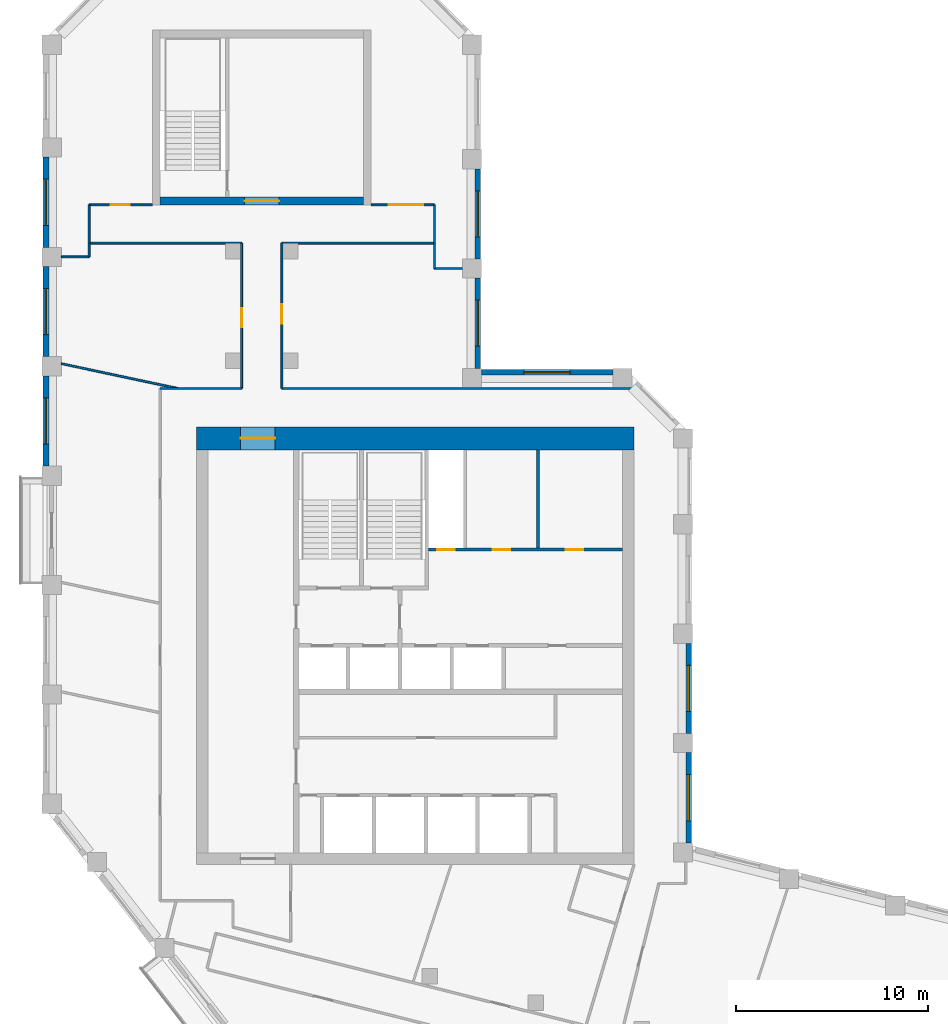
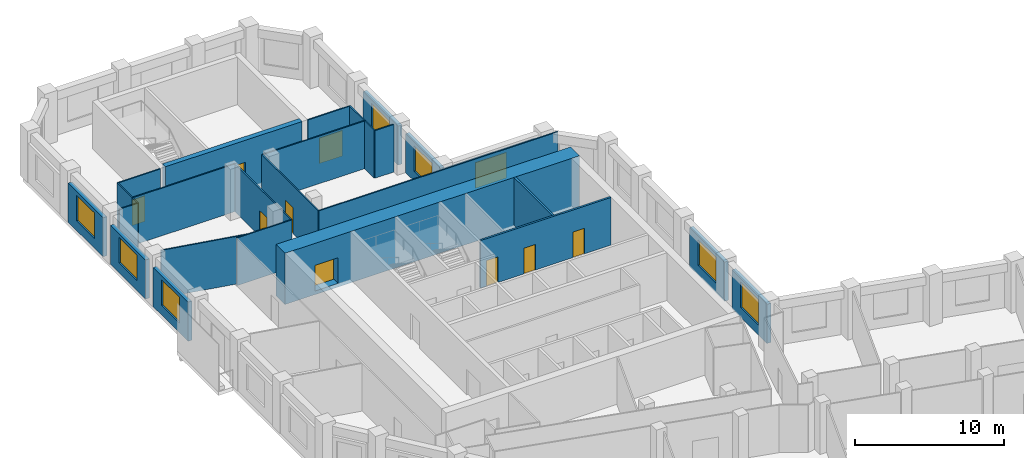
# One storey, part 6 of 9: 27 walls, 9 doors, 8 windows, 17 openings.
"""IFC4 building model written with IfcOpenShell, lengths in metres."""

from ifc_helpers import new_model, si_unit, direction, frame, frame_2d, origin, place, context, subcontext, project, spatial, rectangle, extrude, material, layer, layer_set, type_object, element, fill, save


model = new_model("IFC4")

# Units and contexts
model_context = context("Model", 3, precision=1e-05, world=origin(), true_north=direction((0.0, 1.0)))
body_context = subcontext(model_context, "Body", "Model", "MODEL_VIEW")
ifc_project = project(units=[si_unit("LENGTHUNIT", "METRE"), si_unit("AREAUNIT", "SQUARE_METRE"), si_unit("VOLUMEUNIT", "CUBIC_METRE"), si_unit("PLANEANGLEUNIT", "RADIAN"), si_unit("MASSUNIT", "GRAM", prefix="KILO")], contexts=[model_context])

# Site, building, storey
site_placement = place(None, origin())
site = spatial("IfcSite", under=ifc_project, at=site_placement, CompositionType="ELEMENT")
building_placement = place(site_placement, origin())
building = spatial("IfcBuilding", under=site, at=building_placement, Name="Meshkara Civic Tower", CompositionType="ELEMENT")
storey_placement = place(building_placement, frame((0.0, 0.0, 327.60009765625)))
storey = spatial("IfcBuildingStorey", under=building, at=storey_placement, Name="L75", CompositionType="ELEMENT", Elevation=327.60009765625)

# Wall, openings, doors
ifc_material_1 = material(Name="Blockwork", Category="masonry")
ifc_layer_1 = layer(ifc_material_1, 0.14990234375)
ifc_layer_set_1 = layer_set([ifc_layer_1], Name="Core partition 150")
wall_type_1 = type_object("IfcWallType", Name="Core partition 150", PredefinedType="PARTITIONING", material=ifc_layer_set_1)
wall_1_placement = place(storey_placement, frame((20.10009765625, 30.5, 0.0), z_axis=(0.0, 0.0, 1.0), x_axis=(1.0, 0.0, 0.0)))
wall_1 = element("IfcWall", 1, at=wall_1_placement, inside=storey, type_object=wall_type_1, Name="L75-C010", PredefinedType="PARTITIONING", context=body_context, shape_type="SweptSolid", body=[
    extrude(rectangle(XDim=10.099853515625, YDim=0.14990234375, at=frame_2d((5.0498046875, 0.0))), origin(), (0.0, 0.0, 1.0), 3.89990234375),
])
opening_1_placement = place(wall_1_placement, frame((0.449951171875, 0.0, 0.0)))
opening_1 = element("IfcOpeningElement", 2, at=opening_1_placement, cuts=wall_1, Name="Opening L75-K013", PredefinedType="OPENING", context=body_context, shape_type="SweptSolid", body=[
    extrude(rectangle(XDim=0.89990234375, YDim=2.10009765625, at=frame_2d((0.449951171875, 1.050048828125))), frame((0.0, 0.0849609375, 0.0), z_axis=(0.0, -1.0, 0.0), x_axis=(1.0, 0.0, 0.0)), (0.0, 0.0, 1.0), 0.169921875),
])
opening_2_placement = place(wall_1_placement, frame((3.35009765625, 0.0, 0.0)))
opening_2 = element("IfcOpeningElement", 3, at=opening_2_placement, cuts=wall_1, Name="Opening L75-K014", PredefinedType="OPENING", context=body_context, shape_type="SweptSolid", body=[
    extrude(rectangle(XDim=0.89990234375, YDim=2.10009765625, at=frame_2d((0.449951171875, 1.050048828125))), frame((0.0, 0.0849609375, 0.0), z_axis=(0.0, -1.0, 0.0), x_axis=(1.0, 0.0, 0.0)), (0.0, 0.0, 1.0), 0.169921875),
])
opening_3_placement = place(wall_1_placement, frame((7.14990234375, 0.0, 0.0)))
opening_3 = element("IfcOpeningElement", 4, at=opening_3_placement, cuts=wall_1, Name="Opening L75-K015", PredefinedType="OPENING", context=body_context, shape_type="SweptSolid", body=[
    extrude(rectangle(XDim=0.89990234375, YDim=2.10009765625, at=frame_2d((0.449951171875, 1.050048828125))), frame((0.0, 0.0849609375, 0.0), z_axis=(0.0, -1.0, 0.0), x_axis=(1.0, 0.0, 0.0)), (0.0, 0.0, 1.0), 0.169921875),
])
ifc_material_2 = material(Name="Timber door leaf in steel frame", Category="steel")
door_type_1 = type_object("IfcDoorType", Name="Core room door 900", OperationType="SINGLE_SWING_LEFT", PredefinedType="DOOR", material=ifc_material_2)
door_1_placement = place(opening_2_placement, origin())
door_1 = element("IfcDoor", 5, at=door_1_placement, inside=storey, type_object=door_type_1, Name="L75-K014", OperationType="SINGLE_SWING_RIGHT", OverallHeight=2.10009765625, OverallWidth=0.89990234375, PredefinedType="DOOR", context=body_context, shape_type="SweptSolid", body=[
    extrude(rectangle(XDim=0.89990234375, YDim=2.10009765625, at=frame_2d((0.449951171875, 1.050048828125))), frame((0.0, 0.02490234375, 0.0), z_axis=(0.0, -1.0, 0.0), x_axis=(1.0, 0.0, 0.0)), (0.0, 0.0, 1.0), 0.050048828125),
])
fill(opening_2, door_1)
ifc_material_3 = material(Name="Fire-rated door leaf in steel frame", Category="steel")
door_type_2 = type_object("IfcDoorType", Name="Riser door 900", OperationType="SINGLE_SWING_LEFT", PredefinedType="DOOR", material=ifc_material_3)
door_2_placement = place(opening_1_placement, origin())
door_2 = element("IfcDoor", 6, at=door_2_placement, inside=storey, type_object=door_type_2, Name="L75-K013", OperationType="SINGLE_SWING_RIGHT", OverallHeight=2.10009765625, OverallWidth=0.89990234375, PredefinedType="DOOR", context=body_context, shape_type="SweptSolid", body=[
    extrude(rectangle(XDim=0.89990234375, YDim=2.10009765625, at=frame_2d((0.449951171875, 1.050048828125))), frame((0.0, 0.02490234375, 0.0), z_axis=(0.0, -1.0, 0.0), x_axis=(1.0, 0.0, 0.0)), (0.0, 0.0, 1.0), 0.050048828125),
])
fill(opening_1, door_2)
ifc_material_4 = material(Name="Timber door leaf in steel frame", Category="steel")
door_type_3 = type_object("IfcDoorType", Name="WC door 900", OperationType="SINGLE_SWING_LEFT", PredefinedType="DOOR", material=ifc_material_4)
door_3_placement = place(opening_3_placement, origin())
door_3 = element("IfcDoor", 7, at=door_3_placement, inside=storey, type_object=door_type_3, Name="L75-K015", OperationType="SINGLE_SWING_LEFT", OverallHeight=2.10009765625, OverallWidth=0.89990234375, PredefinedType="DOOR", context=body_context, shape_type="SweptSolid", body=[
    extrude(rectangle(XDim=0.89990234375, YDim=2.10009765625, at=frame_2d((0.449951171875, 1.050048828125))), frame((0.0, 0.02490234375, 0.0), z_axis=(0.0, -1.0, 0.0), x_axis=(1.0, 0.0, 0.0)), (0.0, 0.0, 1.0), 0.050048828125),
])
fill(opening_3, door_3)

# Wall
wall_2_placement = place(storey_placement, frame((25.800048828125, 30.574951171875, 0.0), z_axis=(0.0, 0.0, 1.0), x_axis=(0.0, 1.0, 0.0)))
element("IfcWall", 8, at=wall_2_placement, inside=storey, type_object=wall_type_1, Name="L75-C024", PredefinedType="PARTITIONING", context=body_context, shape_type="SweptSolid", body=[
    extrude(rectangle(XDim=5.125, YDim=0.14990234375, at=frame_2d((2.5625, 0.0))), origin(), (0.0, 0.0, 1.0), 3.89990234375),
])

# Wall, opening, door
ifc_material_5 = material(Name="Concrete C60", Category="concrete")
ifc_layer_2 = layer(ifc_material_5, 1.199951171875)
ifc_layer_set_2 = layer_set([ifc_layer_2], Name="Core ring wall 1200 C60")
wall_type_2 = type_object("IfcWallType", Name="Core ring wall 1200 C60", PredefinedType="SHEAR", material=ifc_layer_set_2)
wall_3_placement = place(storey_placement, frame((8.0, 36.300048828125, -0.300048828125), z_axis=(0.0, 0.0, 1.0), x_axis=(1.0, 0.0, 0.0)))
wall_3 = element("IfcWall", 9, at=wall_3_placement, inside=storey, type_object=wall_type_2, Name="L75-C002", PredefinedType="SHEAR", context=body_context, shape_type="SweptSolid", body=[
    extrude(rectangle(XDim=22.800048828125, YDim=1.199951171875, at=frame_2d((11.39990234375, 0.0))), origin(), (0.0, 0.0, 1.0), 4.199951171875),
])
opening_4_placement = place(wall_3_placement, frame((2.300048828125, 0.0, 0.300048828125)))
opening_4 = element("IfcOpeningElement", 10, at=opening_4_placement, cuts=wall_3, Name="Opening L75-K021", PredefinedType="OPENING", context=body_context, shape_type="SweptSolid", body=[
    extrude(rectangle(XDim=1.800048828125, YDim=2.10009765625, at=frame_2d((0.89990234375, 1.050048828125))), frame((0.0, 0.60986328125, 0.0), z_axis=(0.0, -1.0, 0.0), x_axis=(1.0, 0.0, 0.0)), (0.0, 0.0, 1.0), 1.219970703125),
])
ifc_material_6 = material(Name="Fire-rated door leaf in steel frame", Category="steel")
door_type_4 = type_object("IfcDoorType", Name="Core double door 1800 EI 60", OperationType="DOUBLE_DOOR_SINGLE_SWING", PredefinedType="DOOR", material=ifc_material_6)
door_4_placement = place(opening_4_placement, origin())
door_4 = element("IfcDoor", 11, at=door_4_placement, inside=storey, type_object=door_type_4, Name="L75-K021", OperationType="DOUBLE_DOOR_SINGLE_SWING", OverallHeight=2.10009765625, OverallWidth=1.800048828125, PredefinedType="DOOR", context=body_context, shape_type="SweptSolid", body=[
    extrude(rectangle(XDim=1.800048828125, YDim=2.10009765625, at=frame_2d((0.89990234375, 1.050048828125))), frame((0.0, 0.02490234375, 0.0), z_axis=(0.0, -1.0, 0.0), x_axis=(1.0, 0.0, 0.0)), (0.0, 0.0, 1.0), 0.050048828125),
])
fill(opening_4, door_4)

# Walls
ifc_material_7 = material(Name="Corridor wall 100")
ifc_layer_3 = layer(ifc_material_7, 0.10009765625)
ifc_layer_set_3 = layer_set([ifc_layer_3], Name="Corridor wall 100")
wall_type_3 = type_object("IfcWallType", Name="Corridor wall 100", PredefinedType="PARTITIONING", material=ifc_layer_set_3)
wall_4_placement = place(storey_placement, frame((2.39990234375, 46.469970703125, 0.0), z_axis=(0.0, 0.0, 1.0), x_axis=(1.0, 0.0, 0.0)))
element("IfcWall", 12, at=wall_4_placement, inside=storey, type_object=wall_type_3, Name="L75-W001", PredefinedType="PARTITIONING", context=body_context, shape_type="SweptSolid", body=[
    extrude(rectangle(XDim=7.9501953125, YDim=0.10009765625, at=frame_2d((3.97509765625, 0.0))), origin(), (0.0, 0.0, 1.0), 3.89990234375),
])
wall_5_placement = place(storey_placement, frame((2.39990234375, 48.469970703125, 0.0), z_axis=(0.0, 0.0, 1.0), x_axis=(0.0, -1.0, 0.0)))
element("IfcWall", 13, at=wall_5_placement, inside=storey, type_object=wall_type_3, Name="L75-W002", PredefinedType="PARTITIONING", context=body_context, shape_type="SweptSolid", body=[
    extrude(rectangle(XDim=2.0, YDim=0.10009765625, at=frame_2d((1.0, 0.0))), origin(), (0.0, 0.0, 1.0), 3.89990234375),
])

# Wall, opening, door
wall_6_placement = place(storey_placement, frame((5.699951171875, 48.469970703125, 0.0), z_axis=(0.0, 0.0, 1.0), x_axis=(-1.0, 0.0, 0.0)))
wall_6 = element("IfcWall", 14, at=wall_6_placement, inside=storey, type_object=wall_type_3, Name="L75-W003", PredefinedType="PARTITIONING", context=body_context, shape_type="SweptSolid", body=[
    extrude(rectangle(XDim=3.300048828125, YDim=0.10009765625, at=frame_2d((1.64990234375, 0.0))), origin(), (0.0, 0.0, 1.0), 3.89990234375),
])
opening_5_placement = place(wall_6_placement, frame((1.179931640625, 0.0, 0.0)))
opening_5 = element("IfcOpeningElement", 15, at=opening_5_placement, cuts=wall_6, Name="Opening L75-D019", PredefinedType="OPENING", context=body_context, shape_type="SweptSolid", body=[
    extrude(rectangle(XDim=1.0, YDim=2.10009765625, at=frame_2d((0.5, 1.050048828125))), frame((0.0, 0.06005859375, 0.0), z_axis=(0.0, -1.0, 0.0), x_axis=(1.0, 0.0, 0.0)), (0.0, 0.0, 1.0), 0.1201171875),
])
ifc_material_8 = material(Name="Door 1000 x 2100")
door_type_5 = type_object("IfcDoorType", Name="Door 1000 x 2100", OperationType="SINGLE_SWING_LEFT", PredefinedType="DOOR", material=ifc_material_8)
door_5_placement = place(opening_5_placement, origin())
door_5 = element("IfcDoor", 16, at=door_5_placement, inside=storey, type_object=door_type_5, Name="L75-D019", OperationType="SINGLE_SWING_LEFT", OverallHeight=2.10009765625, OverallWidth=1.0, PredefinedType="DOOR", context=body_context, shape_type="SweptSolid", body=[
    extrude(rectangle(XDim=1.0, YDim=2.10009765625, at=frame_2d((0.5, 1.050048828125))), frame((0.0, 0.02490234375, 0.0), z_axis=(0.0, -1.0, 0.0), x_axis=(1.0, 0.0, 0.0)), (0.0, 0.0, 1.0), 0.050048828125),
])
fill(opening_5, door_5)

# Wall
wall_7_placement = place(storey_placement, frame((10.35009765625, 38.89990234375, 0.0), z_axis=(0.0, 0.0, 1.0), x_axis=(-1.0, 0.0, 0.0)))
element("IfcWall", 17, at=wall_7_placement, inside=storey, type_object=wall_type_3, Name="L75-W011", PredefinedType="PARTITIONING", context=body_context, shape_type="SweptSolid", body=[
    extrude(rectangle(XDim=4.25, YDim=0.10009765625, at=frame_2d((2.125, 0.0))), origin(), (0.0, 0.0, 1.0), 3.89990234375),
])

# Wall, opening, door
wall_8_placement = place(storey_placement, frame((10.35009765625, 46.469970703125, 0.0), z_axis=(0.0, 0.0, 1.0), x_axis=(0.0, -1.0, 0.0)))
wall_8 = element("IfcWall", 18, at=wall_8_placement, inside=storey, type_object=wall_type_3, Name="L75-W012", PredefinedType="PARTITIONING", context=body_context, shape_type="SweptSolid", body=[
    extrude(rectangle(XDim=7.570068359375, YDim=0.10009765625, at=frame_2d((3.78515625, 0.0))), origin(), (0.0, 0.0, 1.0), 3.89990234375),
])
opening_6_placement = place(wall_8_placement, frame((3.3798828125, 0.0, 0.0)))
opening_6 = element("IfcOpeningElement", 19, at=opening_6_placement, cuts=wall_8, Name="Opening L75-D017", PredefinedType="OPENING", context=body_context, shape_type="SweptSolid", body=[
    extrude(rectangle(XDim=1.0, YDim=2.10009765625, at=frame_2d((0.5, 1.050048828125))), frame((0.0, 0.06005859375, 0.0), z_axis=(0.0, -1.0, 0.0), x_axis=(1.0, 0.0, 0.0)), (0.0, 0.0, 1.0), 0.1201171875),
])
door_6_placement = place(opening_6_placement, origin())
door_6 = element("IfcDoor", 20, at=door_6_placement, inside=storey, type_object=door_type_5, Name="L75-D017", OperationType="SINGLE_SWING_LEFT", OverallHeight=2.10009765625, OverallWidth=1.0, PredefinedType="DOOR", context=body_context, shape_type="SweptSolid", body=[
    extrude(rectangle(XDim=1.0, YDim=2.10009765625, at=frame_2d((0.5, 1.050048828125))), frame((0.0, 0.02490234375, 0.0), z_axis=(0.0, -1.0, 0.0), x_axis=(1.0, 0.0, 0.0)), (0.0, 0.0, 1.0), 0.050048828125),
])
fill(opening_6, door_6)

wall_9_placement = place(storey_placement, frame((12.449951171875, 38.89990234375, 0.0), z_axis=(0.0, 0.0, 1.0), x_axis=(0.0, 1.0, 0.0)))
wall_9 = element("IfcWall", 21, at=wall_9_placement, inside=storey, type_object=wall_type_3, Name="L75-W013", PredefinedType="PARTITIONING", context=body_context, shape_type="SweptSolid", body=[
    extrude(rectangle(XDim=7.570068359375, YDim=0.10009765625, at=frame_2d((3.78515625, 0.0))), origin(), (0.0, 0.0, 1.0), 3.89990234375),
])
opening_7_placement = place(wall_9_placement, frame((3.3798828125, 0.0, 0.0)))
opening_7 = element("IfcOpeningElement", 22, at=opening_7_placement, cuts=wall_9, Name="Opening L75-D018", PredefinedType="OPENING", context=body_context, shape_type="SweptSolid", body=[
    extrude(rectangle(XDim=1.0, YDim=2.10009765625, at=frame_2d((0.5, 1.050048828125))), frame((0.0, 0.06005859375, 0.0), z_axis=(0.0, -1.0, 0.0), x_axis=(1.0, 0.0, 0.0)), (0.0, 0.0, 1.0), 0.1201171875),
])
door_7_placement = place(opening_7_placement, origin())
door_7 = element("IfcDoor", 23, at=door_7_placement, inside=storey, type_object=door_type_5, Name="L75-D018", OperationType="SINGLE_SWING_LEFT", OverallHeight=2.10009765625, OverallWidth=1.0, PredefinedType="DOOR", context=body_context, shape_type="SweptSolid", body=[
    extrude(rectangle(XDim=1.0, YDim=2.10009765625, at=frame_2d((0.5, 1.050048828125))), frame((0.0, 0.02490234375, 0.0), z_axis=(0.0, -1.0, 0.0), x_axis=(1.0, 0.0, 0.0)), (0.0, 0.0, 1.0), 0.050048828125),
])
fill(opening_7, door_7)

# Walls
wall_10_placement = place(storey_placement, frame((12.449951171875, 46.469970703125, 0.0), z_axis=(0.0, 0.0, 1.0), x_axis=(1.0, 0.0, 0.0)))
element("IfcWall", 24, at=wall_10_placement, inside=storey, type_object=wall_type_3, Name="L75-W014", PredefinedType="PARTITIONING", context=body_context, shape_type="SweptSolid", body=[
    extrude(rectangle(XDim=7.949951171875, YDim=0.10009765625, at=frame_2d((3.97509765625, 0.0))), origin(), (0.0, 0.0, 1.0), 3.89990234375),
])
wall_11_placement = place(storey_placement, frame((20.39990234375, 46.469970703125, 0.0), z_axis=(0.0, 0.0, 1.0), x_axis=(0.0, 1.0, 0.0)))
element("IfcWall", 25, at=wall_11_placement, inside=storey, type_object=wall_type_3, Name="L75-W016", PredefinedType="PARTITIONING", context=body_context, shape_type="SweptSolid", body=[
    extrude(rectangle(XDim=2.0, YDim=0.10009765625, at=frame_2d((1.0, 0.0))), origin(), (0.0, 0.0, 1.0), 3.89990234375),
])

# Wall, opening, door
wall_12_placement = place(storey_placement, frame((20.39990234375, 48.469970703125, 0.0), z_axis=(0.0, 0.0, 1.0), x_axis=(-1.0, 0.0, 0.0)))
wall_12 = element("IfcWall", 26, at=wall_12_placement, inside=storey, type_object=wall_type_3, Name="L75-W017", PredefinedType="PARTITIONING", context=body_context, shape_type="SweptSolid", body=[
    extrude(rectangle(XDim=3.2998046875, YDim=0.10009765625, at=frame_2d((1.64990234375, 0.0))), origin(), (0.0, 0.0, 1.0), 3.89990234375),
])
opening_8_placement = place(wall_12_placement, frame((0.580078125, 0.0, 0.0)))
opening_8 = element("IfcOpeningElement", 27, at=opening_8_placement, cuts=wall_12, Name="Opening L75-D020", PredefinedType="OPENING", context=body_context, shape_type="SweptSolid", body=[
    extrude(rectangle(XDim=1.800048828125, YDim=2.10009765625, at=frame_2d((0.89990234375, 1.050048828125))), frame((0.0, 0.06005859375, 0.0), z_axis=(0.0, -1.0, 0.0), x_axis=(1.0, 0.0, 0.0)), (0.0, 0.0, 1.0), 0.1201171875),
])
ifc_material_9 = material(Name="Door pair 1800 x 2100")
door_type_6 = type_object("IfcDoorType", Name="Door pair 1800 x 2100", OperationType="SINGLE_SWING_LEFT", PredefinedType="DOOR", material=ifc_material_9)
door_8_placement = place(opening_8_placement, origin())
door_8 = element("IfcDoor", 28, at=door_8_placement, inside=storey, type_object=door_type_6, Name="L75-D020", OperationType="DOUBLE_DOOR_SINGLE_SWING", OverallHeight=2.10009765625, OverallWidth=1.800048828125, PredefinedType="DOOR", context=body_context, shape_type="SweptSolid", body=[
    extrude(rectangle(XDim=1.800048828125, YDim=2.10009765625, at=frame_2d((0.89990234375, 1.050048828125))), frame((0.0, 0.02490234375, 0.0), z_axis=(0.0, -1.0, 0.0), x_axis=(1.0, 0.0, 0.0)), (0.0, 0.0, 1.0), 0.050048828125),
])
fill(opening_8, door_8)

# Wall
wall_13_placement = place(storey_placement, frame((30.9560546875, 38.89990234375, 0.0), z_axis=(0.0, 0.0, 1.0), x_axis=(-1.0, 0.0, 0.0)))
element("IfcWall", 29, at=wall_13_placement, inside=storey, type_object=wall_type_3, Name="L75-W024", PredefinedType="PARTITIONING", context=body_context, shape_type="SweptSolid", body=[
    extrude(rectangle(XDim=18.506103515625, YDim=0.10009765625, at=frame_2d((9.2529296875, 0.0))), origin(), (0.0, 0.0, 1.0), 3.89990234375),
])

# Wall, opening, window
ifc_material_10 = material(Name="Insulated infill panel with bronze anodised aluminium cladding", Category="aluminium")
ifc_layer_4 = layer(ifc_material_10, 0.300048828125)
ifc_layer_set_4 = layer_set([ifc_layer_4], Name="EXTERNAL INFILL WALL 300")
wall_type_4 = type_object("IfcWallType", Name="EXTERNAL INFILL WALL 300", PredefinedType="SOLIDWALL", material=ifc_layer_set_4)
wall_14_placement = place(storey_placement, frame((33.64990234375, 15.218994140625, 0.0), z_axis=(0.0, 0.0, 1.0), x_axis=(0.0, 1.0, 0.0)))
wall_14 = element("IfcWall", 30, at=wall_14_placement, inside=storey, type_object=wall_type_4, Name="External wall", PredefinedType="SOLIDWALL", context=body_context, shape_type="SweptSolid", body=[
    extrude(rectangle(XDim=4.699951171875, YDim=0.300048828125, at=frame_2d((2.35009765625, 0.0))), origin(), (0.0, 0.0, 1.0), 3.199951171875),
])
opening_9_placement = place(wall_14_placement, frame((1.14990234375, 0.0, 0.800048828125)))
opening_9 = element("IfcOpeningElement", 31, at=opening_9_placement, cuts=wall_14, Name="Opening W7", PredefinedType="OPENING", context=body_context, shape_type="SweptSolid", body=[
    extrude(rectangle(XDim=2.39990234375, YDim=2.10009765625, at=frame_2d((1.199951171875, 1.050048828125))), frame((0.0, 0.159912109375, 0.0), z_axis=(0.0, -1.0, 0.0), x_axis=(1.0, 0.0, 0.0)), (0.0, 0.0, 1.0), 0.320068359375),
])
ifc_material_11 = material(Name="Tinted double glazing", Category="glass")
window_type = type_object("IfcWindowType", Name="WINDOW 2400x2100", PartitioningType="DOUBLE_PANEL_VERTICAL", PredefinedType="WINDOW", material=ifc_material_11)
window_1_placement = place(opening_9_placement, origin())
window_1 = element("IfcWindow", 32, at=window_1_placement, inside=storey, type_object=window_type, Name="Window", OverallHeight=2.10009765625, OverallWidth=2.39990234375, PartitioningType="DOUBLE_PANEL_VERTICAL", PredefinedType="WINDOW", context=body_context, shape_type="SweptSolid", body=[
    extrude(rectangle(XDim=2.39990234375, YDim=2.10009765625, at=frame_2d((1.199951171875, 1.050048828125))), frame((0.0, 0.030029296875, 0.0), z_axis=(0.0, -1.0, 0.0), x_axis=(1.0, 0.0, 0.0)), (0.0, 0.0, 1.0), 0.06005859375),
])
fill(opening_9, window_1)

wall_15_placement = place(storey_placement, frame((33.64990234375, 20.9189453125, 0.0), z_axis=(0.0, 0.0, 1.0), x_axis=(0.0, 1.0, 0.0)))
wall_15 = element("IfcWall", 33, at=wall_15_placement, inside=storey, type_object=wall_type_4, Name="External wall", PredefinedType="SOLIDWALL", context=body_context, shape_type="SweptSolid", body=[
    extrude(rectangle(XDim=4.699951171875, YDim=0.300048828125, at=frame_2d((2.35009765625, 0.0))), origin(), (0.0, 0.0, 1.0), 3.199951171875),
])
opening_10_placement = place(wall_15_placement, frame((1.14990234375, 0.0, 0.800048828125)))
opening_10 = element("IfcOpeningElement", 34, at=opening_10_placement, cuts=wall_15, Name="Opening W7", PredefinedType="OPENING", context=body_context, shape_type="SweptSolid", body=[
    extrude(rectangle(XDim=2.39990234375, YDim=2.10009765625, at=frame_2d((1.199951171875, 1.050048828125))), frame((0.0, 0.159912109375, 0.0), z_axis=(0.0, -1.0, 0.0), x_axis=(1.0, 0.0, 0.0)), (0.0, 0.0, 1.0), 0.320068359375),
])
window_2_placement = place(opening_10_placement, origin())
window_2 = element("IfcWindow", 35, at=window_2_placement, inside=storey, type_object=window_type, Name="Window", OverallHeight=2.10009765625, OverallWidth=2.39990234375, PartitioningType="DOUBLE_PANEL_VERTICAL", PredefinedType="WINDOW", context=body_context, shape_type="SweptSolid", body=[
    extrude(rectangle(XDim=2.39990234375, YDim=2.10009765625, at=frame_2d((1.199951171875, 1.050048828125))), frame((0.0, 0.030029296875, 0.0), z_axis=(0.0, -1.0, 0.0), x_axis=(1.0, 0.0, 0.0)), (0.0, 0.0, 1.0), 0.06005859375),
])
fill(opening_10, window_2)

wall_16_placement = place(storey_placement, frame((29.694091796875, 39.75, 0.0), z_axis=(0.0, 0.0, 1.0), x_axis=(-1.0, 0.0, 0.0)))
wall_16 = element("IfcWall", 36, at=wall_16_placement, inside=storey, type_object=wall_type_4, Name="External wall", PredefinedType="SOLIDWALL", context=body_context, shape_type="SweptSolid", body=[
    extrude(rectangle(XDim=6.843994140625, YDim=0.300048828125, at=frame_2d((3.421875, 0.0))), origin(), (0.0, 0.0, 1.0), 3.199951171875),
])
opening_11_placement = place(wall_16_placement, frame((2.221923828125, 0.0, 0.800048828125)))
opening_11 = element("IfcOpeningElement", 37, at=opening_11_placement, cuts=wall_16, Name="Opening W7", PredefinedType="OPENING", context=body_context, shape_type="SweptSolid", body=[
    extrude(rectangle(XDim=2.39990234375, YDim=2.10009765625, at=frame_2d((1.199951171875, 1.050048828125))), frame((0.0, 0.159912109375, 0.0), z_axis=(0.0, -1.0, 0.0), x_axis=(1.0, 0.0, 0.0)), (0.0, 0.0, 1.0), 0.320068359375),
])
window_3_placement = place(opening_11_placement, origin())
window_3 = element("IfcWindow", 38, at=window_3_placement, inside=storey, type_object=window_type, Name="Window", OverallHeight=2.10009765625, OverallWidth=2.39990234375, PartitioningType="DOUBLE_PANEL_VERTICAL", PredefinedType="WINDOW", context=body_context, shape_type="SweptSolid", body=[
    extrude(rectangle(XDim=2.39990234375, YDim=2.10009765625, at=frame_2d((1.199951171875, 1.050048828125))), frame((0.0, 0.030029296875, 0.0), z_axis=(0.0, -1.0, 0.0), x_axis=(1.0, 0.0, 0.0)), (0.0, 0.0, 1.0), 0.06005859375),
])
fill(opening_11, window_3)

wall_17_placement = place(storey_placement, frame((22.64990234375, 39.949951171875, 0.0), z_axis=(0.0, 0.0, 1.0), x_axis=(0.0, 1.0, 0.0)))
wall_17 = element("IfcWall", 39, at=wall_17_placement, inside=storey, type_object=wall_type_4, Name="External wall", PredefinedType="SOLIDWALL", context=body_context, shape_type="SweptSolid", body=[
    extrude(rectangle(XDim=4.699951171875, YDim=0.300048828125, at=frame_2d((2.35009765625, 0.0))), origin(), (0.0, 0.0, 1.0), 3.199951171875),
])
opening_12_placement = place(wall_17_placement, frame((1.14990234375, 0.0, 0.800048828125)))
opening_12 = element("IfcOpeningElement", 40, at=opening_12_placement, cuts=wall_17, Name="Opening W7", PredefinedType="OPENING", context=body_context, shape_type="SweptSolid", body=[
    extrude(rectangle(XDim=2.39990234375, YDim=2.10009765625, at=frame_2d((1.199951171875, 1.050048828125))), frame((0.0, 0.159912109375, 0.0), z_axis=(0.0, -1.0, 0.0), x_axis=(1.0, 0.0, 0.0)), (0.0, 0.0, 1.0), 0.320068359375),
])
window_4_placement = place(opening_12_placement, origin())
window_4 = element("IfcWindow", 41, at=window_4_placement, inside=storey, type_object=window_type, Name="Window", OverallHeight=2.10009765625, OverallWidth=2.39990234375, PartitioningType="DOUBLE_PANEL_VERTICAL", PredefinedType="WINDOW", context=body_context, shape_type="SweptSolid", body=[
    extrude(rectangle(XDim=2.39990234375, YDim=2.10009765625, at=frame_2d((1.199951171875, 1.050048828125))), frame((0.0, 0.030029296875, 0.0), z_axis=(0.0, -1.0, 0.0), x_axis=(1.0, 0.0, 0.0)), (0.0, 0.0, 1.0), 0.06005859375),
])
fill(opening_12, window_4)

wall_18_placement = place(storey_placement, frame((22.64990234375, 45.64990234375, 0.0), z_axis=(0.0, 0.0, 1.0), x_axis=(0.0, 1.0, 0.0)))
wall_18 = element("IfcWall", 42, at=wall_18_placement, inside=storey, type_object=wall_type_4, Name="External wall", PredefinedType="SOLIDWALL", context=body_context, shape_type="SweptSolid", body=[
    extrude(rectangle(XDim=4.7001953125, YDim=0.300048828125, at=frame_2d((2.35009765625, 0.0))), origin(), (0.0, 0.0, 1.0), 3.199951171875),
])
opening_13_placement = place(wall_18_placement, frame((1.14990234375, 0.0, 0.800048828125)))
opening_13 = element("IfcOpeningElement", 43, at=opening_13_placement, cuts=wall_18, Name="Opening W7", PredefinedType="OPENING", context=body_context, shape_type="SweptSolid", body=[
    extrude(rectangle(XDim=2.39990234375, YDim=2.10009765625, at=frame_2d((1.199951171875, 1.050048828125))), frame((0.0, 0.159912109375, 0.0), z_axis=(0.0, -1.0, 0.0), x_axis=(1.0, 0.0, 0.0)), (0.0, 0.0, 1.0), 0.320068359375),
])
window_5_placement = place(opening_13_placement, origin())
window_5 = element("IfcWindow", 44, at=window_5_placement, inside=storey, type_object=window_type, Name="Window", OverallHeight=2.10009765625, OverallWidth=2.39990234375, PartitioningType="DOUBLE_PANEL_VERTICAL", PredefinedType="WINDOW", context=body_context, shape_type="SweptSolid", body=[
    extrude(rectangle(XDim=2.39990234375, YDim=2.10009765625, at=frame_2d((1.199951171875, 1.050048828125))), frame((0.0, 0.030029296875, 0.0), z_axis=(0.0, -1.0, 0.0), x_axis=(1.0, 0.0, 0.0)), (0.0, 0.0, 1.0), 0.06005859375),
])
fill(opening_13, window_5)

wall_19_placement = place(storey_placement, frame((0.14990234375, 50.955078125, 0.0), z_axis=(0.0, 0.0, 1.0), x_axis=(0.0, -1.0, 0.0)))
wall_19 = element("IfcWall", 45, at=wall_19_placement, inside=storey, type_object=wall_type_4, Name="External wall", PredefinedType="SOLIDWALL", context=body_context, shape_type="SweptSolid", body=[
    extrude(rectangle(XDim=4.7001953125, YDim=0.300048828125, at=frame_2d((2.35009765625, 0.0))), origin(), (0.0, 0.0, 1.0), 3.199951171875),
])
opening_14_placement = place(wall_19_placement, frame((1.14990234375, 0.0, 0.800048828125)))
opening_14 = element("IfcOpeningElement", 46, at=opening_14_placement, cuts=wall_19, Name="Opening W7", PredefinedType="OPENING", context=body_context, shape_type="SweptSolid", body=[
    extrude(rectangle(XDim=2.39990234375, YDim=2.10009765625, at=frame_2d((1.199951171875, 1.050048828125))), frame((0.0, 0.159912109375, 0.0), z_axis=(0.0, -1.0, 0.0), x_axis=(1.0, 0.0, 0.0)), (0.0, 0.0, 1.0), 0.320068359375),
])
window_6_placement = place(opening_14_placement, origin())
window_6 = element("IfcWindow", 47, at=window_6_placement, inside=storey, type_object=window_type, Name="Window", OverallHeight=2.10009765625, OverallWidth=2.39990234375, PartitioningType="DOUBLE_PANEL_VERTICAL", PredefinedType="WINDOW", context=body_context, shape_type="SweptSolid", body=[
    extrude(rectangle(XDim=2.39990234375, YDim=2.10009765625, at=frame_2d((1.199951171875, 1.050048828125))), frame((0.0, 0.030029296875, 0.0), z_axis=(0.0, -1.0, 0.0), x_axis=(1.0, 0.0, 0.0)), (0.0, 0.0, 1.0), 0.06005859375),
])
fill(opening_14, window_6)

wall_20_placement = place(storey_placement, frame((0.14990234375, 45.2548828125, 0.0), z_axis=(0.0, 0.0, 1.0), x_axis=(0.0, -1.0, 0.0)))
wall_20 = element("IfcWall", 48, at=wall_20_placement, inside=storey, type_object=wall_type_4, Name="External wall", PredefinedType="SOLIDWALL", context=body_context, shape_type="SweptSolid", body=[
    extrude(rectangle(XDim=4.699951171875, YDim=0.300048828125, at=frame_2d((2.35009765625, 0.0))), origin(), (0.0, 0.0, 1.0), 3.199951171875),
])
opening_15_placement = place(wall_20_placement, frame((1.14990234375, 0.0, 0.800048828125)))
opening_15 = element("IfcOpeningElement", 49, at=opening_15_placement, cuts=wall_20, Name="Opening W7", PredefinedType="OPENING", context=body_context, shape_type="SweptSolid", body=[
    extrude(rectangle(XDim=2.39990234375, YDim=2.10009765625, at=frame_2d((1.199951171875, 1.050048828125))), frame((0.0, 0.159912109375, 0.0), z_axis=(0.0, -1.0, 0.0), x_axis=(1.0, 0.0, 0.0)), (0.0, 0.0, 1.0), 0.320068359375),
])
window_7_placement = place(opening_15_placement, origin())
window_7 = element("IfcWindow", 50, at=window_7_placement, inside=storey, type_object=window_type, Name="Window", OverallHeight=2.10009765625, OverallWidth=2.39990234375, PartitioningType="DOUBLE_PANEL_VERTICAL", PredefinedType="WINDOW", context=body_context, shape_type="SweptSolid", body=[
    extrude(rectangle(XDim=2.39990234375, YDim=2.10009765625, at=frame_2d((1.199951171875, 1.050048828125))), frame((0.0, 0.030029296875, 0.0), z_axis=(0.0, -1.0, 0.0), x_axis=(1.0, 0.0, 0.0)), (0.0, 0.0, 1.0), 0.06005859375),
])
fill(opening_15, window_7)

wall_21_placement = place(storey_placement, frame((0.14990234375, 39.554931640625, 0.0), z_axis=(0.0, 0.0, 1.0), x_axis=(0.0, -1.0, 0.0)))
wall_21 = element("IfcWall", 51, at=wall_21_placement, inside=storey, type_object=wall_type_4, Name="External wall", PredefinedType="SOLIDWALL", context=body_context, shape_type="SweptSolid", body=[
    extrude(rectangle(XDim=4.699951171875, YDim=0.300048828125, at=frame_2d((2.35009765625, 0.0))), origin(), (0.0, 0.0, 1.0), 3.199951171875),
])
opening_16_placement = place(wall_21_placement, frame((1.14990234375, 0.0, 0.800048828125)))
opening_16 = element("IfcOpeningElement", 52, at=opening_16_placement, cuts=wall_21, Name="Opening W7", PredefinedType="OPENING", context=body_context, shape_type="SweptSolid", body=[
    extrude(rectangle(XDim=2.39990234375, YDim=2.10009765625, at=frame_2d((1.199951171875, 1.050048828125))), frame((0.0, 0.159912109375, 0.0), z_axis=(0.0, -1.0, 0.0), x_axis=(1.0, 0.0, 0.0)), (0.0, 0.0, 1.0), 0.320068359375),
])
window_8_placement = place(opening_16_placement, origin())
window_8 = element("IfcWindow", 53, at=window_8_placement, inside=storey, type_object=window_type, Name="Window", OverallHeight=2.10009765625, OverallWidth=2.39990234375, PartitioningType="DOUBLE_PANEL_VERTICAL", PredefinedType="WINDOW", context=body_context, shape_type="SweptSolid", body=[
    extrude(rectangle(XDim=2.39990234375, YDim=2.10009765625, at=frame_2d((1.199951171875, 1.050048828125))), frame((0.0, 0.030029296875, 0.0), z_axis=(0.0, -1.0, 0.0), x_axis=(1.0, 0.0, 0.0)), (0.0, 0.0, 1.0), 0.06005859375),
])
fill(opening_16, window_8)

# Wall, opening, door
ifc_material_12 = material(Name="Concrete C60", Category="concrete")
ifc_layer_5 = layer(ifc_material_12, 0.39990234375)
ifc_layer_set_5 = layer_set([ifc_layer_5], Name="End core ring wall 400 C60")
wall_type_5 = type_object("IfcWallType", Name="End core ring wall 400 C60", PredefinedType="SHEAR", material=ifc_layer_set_5)
wall_22_placement = place(storey_placement, frame((6.10009765625, 48.669921875, -0.300048828125), z_axis=(0.0, 0.0, 1.0), x_axis=(1.0, 0.0, 0.0)))
wall_22 = element("IfcWall", 54, at=wall_22_placement, inside=storey, type_object=wall_type_5, Name="L75-C029", PredefinedType="SHEAR", context=body_context, shape_type="SweptSolid", body=[
    extrude(rectangle(XDim=10.599853515625, YDim=0.39990234375, at=frame_2d((5.2998046875, 0.0))), origin(), (0.0, 0.0, 1.0), 4.199951171875),
])
opening_17_placement = place(wall_22_placement, frame((4.39990234375, 0.0, 0.300048828125)))
opening_17 = element("IfcOpeningElement", 55, at=opening_17_placement, cuts=wall_22, Name="Opening L75-K102", PredefinedType="OPENING", context=body_context, shape_type="SweptSolid", body=[
    extrude(rectangle(XDim=1.800048828125, YDim=2.10009765625, at=frame_2d((0.89990234375, 1.050048828125))), frame((0.0, 0.2099609375, 0.0), z_axis=(0.0, -1.0, 0.0), x_axis=(1.0, 0.0, 0.0)), (0.0, 0.0, 1.0), 0.419921875),
])
door_9_placement = place(opening_17_placement, origin())
door_9 = element("IfcDoor", 56, at=door_9_placement, inside=storey, type_object=door_type_4, Name="L75-K102", OperationType="DOUBLE_DOOR_SINGLE_SWING", OverallHeight=2.10009765625, OverallWidth=1.800048828125, PredefinedType="DOOR", context=body_context, shape_type="SweptSolid", body=[
    extrude(rectangle(XDim=1.800048828125, YDim=2.10009765625, at=frame_2d((0.89990234375, 1.050048828125))), frame((0.0, 0.02490234375, 0.0), z_axis=(0.0, -1.0, 0.0), x_axis=(1.0, 0.0, 0.0)), (0.0, 0.0, 1.0), 0.050048828125),
])
fill(opening_17, door_9)

# Walls
ifc_material_13 = material(Name="Partition 100")
ifc_layer_6 = layer(ifc_material_13, 0.10009765625)
ifc_layer_set_6 = layer_set([ifc_layer_6], Name="Partition 100")
wall_type_6 = type_object("IfcWallType", Name="Partition 100", PredefinedType="PARTITIONING", material=ifc_layer_set_6)
wall_23_placement = place(storey_placement, frame((2.39990234375, 45.7548828125, 0.0), z_axis=(0.0, 0.0, 1.0), x_axis=(-1.0, 0.0, 0.0)))
element("IfcWall", 57, at=wall_23_placement, inside=storey, type_object=wall_type_6, Name="L75-W041", PredefinedType="PARTITIONING", context=body_context, shape_type="SweptSolid", body=[
    extrude(rectangle(XDim=1.449951171875, YDim=0.10009765625, at=frame_2d((0.72509765625, 0.0))), origin(), (0.0, 0.0, 1.0), 3.89990234375),
])
wall_24_placement = place(storey_placement, frame((2.39990234375, 46.47412109375, 0.0), z_axis=(0.0, 0.0, 1.0), x_axis=(0.0, -1.0, 0.0)))
element("IfcWall", 58, at=wall_24_placement, inside=storey, type_object=wall_type_6, Name="L75-W042", PredefinedType="PARTITIONING", context=body_context, shape_type="SweptSolid", body=[
    extrude(rectangle(XDim=0.71923828125, YDim=0.10009765625, at=frame_2d((0.359619140625, 0.0))), origin(), (0.0, 0.0, 1.0), 3.89990234375),
])
wall_25_placement = place(storey_placement, frame((7.034912109375, 38.89990234375, 0.0), z_axis=(0.0, 0.0, 1.0), x_axis=(-0.978121732608, 0.208033353577, 0.0)))
element("IfcWall", 59, at=wall_25_placement, inside=storey, type_object=wall_type_6, Name="L75-W046", PredefinedType="PARTITIONING", context=body_context, shape_type="SweptSolid", body=[
    extrude(rectangle(XDim=6.220947265625, YDim=0.10009765625, at=frame_2d((3.1103515625, 0.0))), origin(), (0.0, 0.0, 1.0), 3.89990234375),
])
wall_26_placement = place(storey_placement, frame((20.39990234375, 45.14990234375, 0.0), z_axis=(0.0, 0.0, 1.0), x_axis=(0.0, 1.0, 0.0)))
element("IfcWall", 60, at=wall_26_placement, inside=storey, type_object=wall_type_6, Name="L75-W050", PredefinedType="PARTITIONING", context=body_context, shape_type="SweptSolid", body=[
    extrude(rectangle(XDim=1.32421875, YDim=0.10009765625, at=frame_2d((0.662109375, 0.0))), origin(), (0.0, 0.0, 1.0), 3.89990234375),
])
wall_27_placement = place(storey_placement, frame((21.85009765625, 45.14990234375, 0.0), z_axis=(0.0, 0.0, 1.0), x_axis=(-1.0, 0.0, 0.0)))
element("IfcWall", 61, at=wall_27_placement, inside=storey, type_object=wall_type_6, Name="L75-W051", PredefinedType="PARTITIONING", context=body_context, shape_type="SweptSolid", body=[
    extrude(rectangle(XDim=1.4501953125, YDim=0.10009765625, at=frame_2d((0.72509765625, 0.0))), origin(), (0.0, 0.0, 1.0), 3.89990234375),
])

save(model, "model.ifc")
